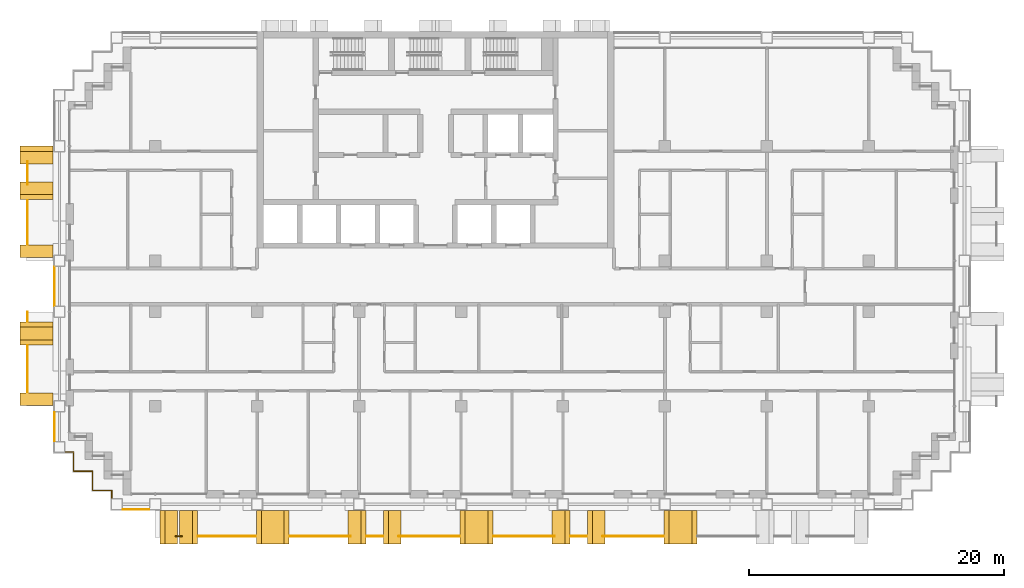
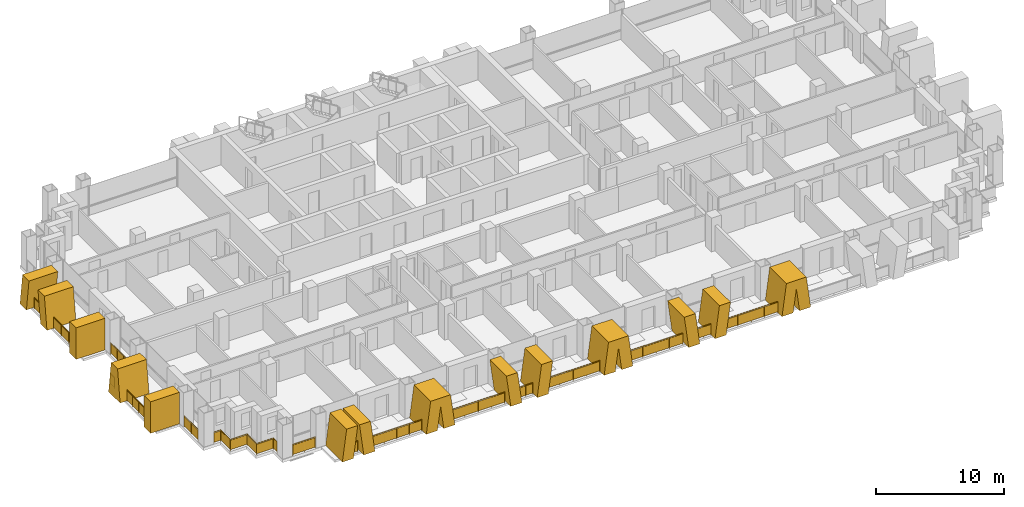
# One storey, part 15 of 18: 16 railings, 14 shading devices.
"""IFC4 building model written with IfcOpenShell, lengths in metres."""

from ifc_helpers import new_model, si_unit, direction, frame, origin, origin_2d, place, context, subcontext, project, spatial, polyline, rectangle, circle, outline, extrude, material, layer, layer_set, type_object, element, save


model = new_model("IFC4")

# Units and contexts
model_context = context("Model", 3, precision=1e-05, world=origin(), true_north=direction((0.0, 1.0)))
body_context = subcontext(model_context, "Body", "Model", "MODEL_VIEW")
ifc_project = project(units=[si_unit("LENGTHUNIT", "METRE"), si_unit("AREAUNIT", "SQUARE_METRE"), si_unit("VOLUMEUNIT", "CUBIC_METRE"), si_unit("PLANEANGLEUNIT", "RADIAN"), si_unit("MASSUNIT", "GRAM", prefix="KILO")], contexts=[model_context])

# Site, building, storey
site_placement = place(None, origin())
site = spatial("IfcSite", under=ifc_project, at=site_placement, CompositionType="ELEMENT")
building_placement = place(site_placement, origin())
building = spatial("IfcBuilding", under=site, at=building_placement, Name="Vidyagriha Tower", CompositionType="ELEMENT")
storey_placement = place(building_placement, frame((0.0, 0.0, 103.10009765625)))
storey = spatial("IfcBuildingStorey", under=building, at=storey_placement, Name="L27", CompositionType="ELEMENT", Elevation=103.10009765625)

# Railings
ifc_material_1 = material(Name="Steel ASTM A500 Grade C black painted", Category="steel")
railing_type_1 = type_object("IfcRailingType", Name="Balcony guard 1100", PredefinedType="BALUSTRADE", material=ifc_material_1)
railing_1_placement = place(storey_placement, frame((-32.0, 9.796630859375, 0.0)))
element("IfcRailing", 1, at=railing_1_placement, inside=storey, type_object=railing_type_1, Name="Balcony guard L27 R16.1-1", PredefinedType="BALUSTRADE", context=body_context, shape_type="SweptSolid", body=[
    extrude(circle(Radius=0.02490234375, at=origin_2d()), frame((0.0, 0.0, 1.0751953125), z_axis=(0.0, -1.0, 0.0), x_axis=(1.0, 0.0, 0.0)), (0.0, 0.0, 1.0), 1.793212890625),
    extrude(circle(Radius=0.02001953125, at=origin_2d()), origin(), (0.0, 0.0, 1.0), 1.050048828125),
    extrude(circle(Radius=0.02001953125, at=origin_2d()), frame((0.0, -0.896484375, 0.0)), (0.0, 0.0, 1.0), 1.050048828125),
    extrude(circle(Radius=0.02001953125, at=origin_2d()), frame((0.0, -1.793212890625, 0.0)), (0.0, 0.0, 1.0), 1.050048828125),
    extrude(rectangle(XDim=0.010009765625, YDim=0.900146484375, at=origin_2d()), frame((0.0, 0.0, 0.550048828125), z_axis=(0.0, -1.0, 0.0), x_axis=(1.0, 0.0, 0.0)), (0.0, 0.0, 1.0), 1.793212890625),
])
railing_2_placement = place(storey_placement, frame((-32.0, 6.75, 0.0)))
element("IfcRailing", 2, at=railing_2_placement, inside=storey, type_object=railing_type_1, Name="Balcony guard L27 R16.1-2", PredefinedType="BALUSTRADE", context=body_context, shape_type="SweptSolid", body=[
    extrude(circle(Radius=0.02490234375, at=origin_2d()), frame((0.0, 0.0, 1.0751953125), z_axis=(0.0, -1.0, 0.0), x_axis=(1.0, 0.0, 0.0)), (0.0, 0.0, 1.0), 3.449951171875),
    extrude(circle(Radius=0.02001953125, at=origin_2d()), origin(), (0.0, 0.0, 1.0), 1.050048828125),
    extrude(circle(Radius=0.02001953125, at=origin_2d()), frame((0.0, -1.14990234375, 0.0)), (0.0, 0.0, 1.0), 1.050048828125),
    extrude(circle(Radius=0.02001953125, at=origin_2d()), frame((0.0, -2.300048828125, 0.0)), (0.0, 0.0, 1.0), 1.050048828125),
    extrude(circle(Radius=0.02001953125, at=origin_2d()), frame((0.0, -3.449951171875, 0.0)), (0.0, 0.0, 1.0), 1.050048828125),
    extrude(rectangle(XDim=0.010009765625, YDim=0.900146484375, at=origin_2d()), frame((0.0, 0.0, 0.550048828125), z_axis=(0.0, -1.0, 0.0), x_axis=(1.0, 0.0, 0.0)), (0.0, 0.0, 1.0), 3.449951171875),
])
railing_3_placement = place(storey_placement, frame((-32.0, -2.0, 0.0)))
element("IfcRailing", 3, at=railing_3_placement, inside=storey, type_object=railing_type_1, Name="Balcony guard L27 R16.2-1", PredefinedType="BALUSTRADE", context=body_context, shape_type="SweptSolid", body=[
    extrude(circle(Radius=0.02490234375, at=origin_2d()), frame((0.0, 0.0, 1.0751953125), z_axis=(0.0, -1.0, 0.0), x_axis=(1.0, 0.0, 0.0)), (0.0, 0.0, 1.0), 0.75),
    extrude(circle(Radius=0.02001953125, at=origin_2d()), origin(), (0.0, 0.0, 1.0), 1.050048828125),
    extrude(circle(Radius=0.02001953125, at=origin_2d()), frame((0.0, -0.75, 0.0)), (0.0, 0.0, 1.0), 1.050048828125),
    extrude(rectangle(XDim=0.010009765625, YDim=0.900146484375, at=origin_2d()), frame((0.0, 0.0, 0.550048828125), z_axis=(0.0, -1.0, 0.0), x_axis=(1.0, 0.0, 0.0)), (0.0, 0.0, 1.0), 0.75),
])
railing_4_placement = place(storey_placement, frame((-32.0, -4.64990234375, 0.0)))
element("IfcRailing", 4, at=railing_4_placement, inside=storey, type_object=railing_type_1, Name="Balcony guard L27 R16.2-2", PredefinedType="BALUSTRADE", context=body_context, shape_type="SweptSolid", body=[
    extrude(circle(Radius=0.02490234375, at=origin_2d()), frame((0.0, 0.0, 1.0751953125), z_axis=(0.0, -1.0, 0.0), x_axis=(1.0, 0.0, 0.0)), (0.0, 0.0, 1.0), 3.650146484375),
    extrude(circle(Radius=0.02001953125, at=origin_2d()), origin(), (0.0, 0.0, 1.0), 1.050048828125),
    extrude(circle(Radius=0.02001953125, at=origin_2d()), frame((0.0, -0.91259765625, 0.0)), (0.0, 0.0, 1.0), 1.050048828125),
    extrude(circle(Radius=0.02001953125, at=origin_2d()), frame((0.0, -1.8251953125, 0.0)), (0.0, 0.0, 1.0), 1.050048828125),
    extrude(circle(Radius=0.02001953125, at=origin_2d()), frame((0.0, -2.737548828125, 0.0)), (0.0, 0.0, 1.0), 1.050048828125),
    extrude(circle(Radius=0.02001953125, at=origin_2d()), frame((0.0, -3.650146484375, 0.0)), (0.0, 0.0, 1.0), 1.050048828125),
    extrude(rectangle(XDim=0.010009765625, YDim=0.900146484375, at=origin_2d()), frame((0.0, 0.0, 0.550048828125), z_axis=(0.0, -1.0, 0.0), x_axis=(1.0, 0.0, 0.0)), (0.0, 0.0, 1.0), 3.650146484375),
])
railing_5_placement = place(storey_placement, frame((-20.41650390625, -19.60009765625, 0.0)))
element("IfcRailing", 5, at=railing_5_placement, inside=storey, type_object=railing_type_1, Name="Balcony guard L27 R23.1-1", PredefinedType="BALUSTRADE", context=body_context, shape_type="SweptSolid", body=[
    extrude(circle(Radius=0.02490234375, at=origin_2d()), frame((0.0, 0.0, 1.0751953125), z_axis=(1.0, 0.0, 0.0), x_axis=(0.0, 1.0, 0.0)), (0.0, 0.0, 1.0), 0.532958984375),
    extrude(circle(Radius=0.02001953125, at=origin_2d()), origin(), (0.0, 0.0, 1.0), 1.050048828125),
    extrude(circle(Radius=0.02001953125, at=origin_2d()), frame((0.532958984375, 0.0, 0.0)), (0.0, 0.0, 1.0), 1.050048828125),
    extrude(rectangle(XDim=0.010009765625, YDim=0.900146484375, at=origin_2d()), frame((0.0, 0.0, 0.550048828125), z_axis=(1.0, 0.0, 0.0), x_axis=(0.0, 1.0, 0.0)), (0.0, 0.0, 1.0), 0.532958984375),
])
railing_6_placement = place(storey_placement, frame((-18.6357421875, -19.60009765625, 0.0)))
element("IfcRailing", 6, at=railing_6_placement, inside=storey, type_object=railing_type_1, Name="Balcony guard L27 R23.1-2", PredefinedType="BALUSTRADE", context=body_context, shape_type="SweptSolid", body=[
    extrude(circle(Radius=0.02490234375, at=origin_2d()), frame((0.0, 0.0, 1.0751953125), z_axis=(1.0, 0.0, 0.0), x_axis=(0.0, 1.0, 0.0)), (0.0, 0.0, 1.0), 4.520751953125),
    extrude(circle(Radius=0.02001953125, at=origin_2d()), origin(), (0.0, 0.0, 1.0), 1.050048828125),
    extrude(circle(Radius=0.02001953125, at=origin_2d()), frame((1.130126953125, 0.0, 0.0)), (0.0, 0.0, 1.0), 1.050048828125),
    extrude(circle(Radius=0.02001953125, at=origin_2d()), frame((2.26025390625, 0.0, 0.0)), (0.0, 0.0, 1.0), 1.050048828125),
    extrude(circle(Radius=0.02001953125, at=origin_2d()), frame((3.390625, 0.0, 0.0)), (0.0, 0.0, 1.0), 1.050048828125),
    extrude(circle(Radius=0.02001953125, at=origin_2d()), frame((4.520751953125, 0.0, 0.0)), (0.0, 0.0, 1.0), 1.050048828125),
    extrude(rectangle(XDim=0.010009765625, YDim=0.900146484375, at=origin_2d()), frame((0.0, 0.0, 0.550048828125), z_axis=(1.0, 0.0, 0.0), x_axis=(0.0, 1.0, 0.0)), (0.0, 0.0, 1.0), 4.520751953125),
])
railing_7_placement = place(storey_placement, frame((-11.43505859375, -19.60009765625, 0.0)))
element("IfcRailing", 7, at=railing_7_placement, inside=storey, type_object=railing_type_1, Name="Balcony guard L27 R23.1-3", PredefinedType="BALUSTRADE", context=body_context, shape_type="SweptSolid", body=[
    extrude(circle(Radius=0.02490234375, at=origin_2d()), frame((0.0, 0.0, 1.0751953125), z_axis=(1.0, 0.0, 0.0), x_axis=(0.0, 1.0, 0.0)), (0.0, 0.0, 1.0), 4.773681640625),
    extrude(circle(Radius=0.02001953125, at=origin_2d()), origin(), (0.0, 0.0, 1.0), 1.050048828125),
    extrude(circle(Radius=0.02001953125, at=origin_2d()), frame((1.193359375, 0.0, 0.0)), (0.0, 0.0, 1.0), 1.050048828125),
    extrude(circle(Radius=0.02001953125, at=origin_2d()), frame((2.38671875, 0.0, 0.0)), (0.0, 0.0, 1.0), 1.050048828125),
    extrude(circle(Radius=0.02001953125, at=origin_2d()), frame((3.580322265625, 0.0, 0.0)), (0.0, 0.0, 1.0), 1.050048828125),
    extrude(circle(Radius=0.02001953125, at=origin_2d()), frame((4.773681640625, 0.0, 0.0)), (0.0, 0.0, 1.0), 1.050048828125),
    extrude(rectangle(XDim=0.010009765625, YDim=0.900146484375, at=origin_2d()), frame((0.0, 0.0, 0.550048828125), z_axis=(1.0, 0.0, 0.0), x_axis=(0.0, 1.0, 0.0)), (0.0, 0.0, 1.0), 4.773681640625),
])
railing_8_placement = place(storey_placement, frame((-5.409912109375, -19.60009765625, 0.0)))
element("IfcRailing", 8, at=railing_8_placement, inside=storey, type_object=railing_type_1, Name="Balcony guard L27 R23.1-4", PredefinedType="BALUSTRADE", context=body_context, shape_type="SweptSolid", body=[
    extrude(circle(Radius=0.02490234375, at=origin_2d()), frame((0.0, 0.0, 1.0751953125), z_axis=(1.0, 0.0, 0.0), x_axis=(0.0, 1.0, 0.0)), (0.0, 0.0, 1.0), 1.27001953125),
    extrude(circle(Radius=0.02001953125, at=origin_2d()), origin(), (0.0, 0.0, 1.0), 1.050048828125),
    extrude(circle(Radius=0.02001953125, at=origin_2d()), frame((0.635009765625, 0.0, 0.0)), (0.0, 0.0, 1.0), 1.050048828125),
    extrude(circle(Radius=0.02001953125, at=origin_2d()), frame((1.27001953125, 0.0, 0.0)), (0.0, 0.0, 1.0), 1.050048828125),
    extrude(rectangle(XDim=0.010009765625, YDim=0.900146484375, at=origin_2d()), frame((0.0, 0.0, 0.550048828125), z_axis=(1.0, 0.0, 0.0), x_axis=(0.0, 1.0, 0.0)), (0.0, 0.0, 1.0), 1.27001953125),
])
for number, where, name in (
    (9, (-2.888671875, -19.60009765625, 0.0), "Balcony guard L27 R23.1-5"),
    (10, (4.56494140625, -19.60009765625, 0.0), "Balcony guard L27 R23.1-6"),
):
    element("IfcRailing", number, at=place(storey_placement, frame(where)), inside=storey, type_object=railing_type_1, Name=name, PredefinedType="BALUSTRADE", context=body_context, shape_type="SweptSolid", body=[
        extrude(circle(Radius=0.02490234375, at=origin_2d()), frame((0.0, 0.0, 1.0751953125), z_axis=(1.0, 0.0, 0.0), x_axis=(0.0, 1.0, 0.0)), (0.0, 0.0, 1.0), 4.773681640625),
        extrude(circle(Radius=0.02001953125, at=origin_2d()), origin(), (0.0, 0.0, 1.0), 1.050048828125),
        extrude(circle(Radius=0.02001953125, at=origin_2d()), frame((1.193359375, 0.0, 0.0)), (0.0, 0.0, 1.0), 1.050048828125),
        extrude(circle(Radius=0.02001953125, at=origin_2d()), frame((2.38671875, 0.0, 0.0)), (0.0, 0.0, 1.0), 1.050048828125),
        extrude(circle(Radius=0.02001953125, at=origin_2d()), frame((3.580322265625, 0.0, 0.0)), (0.0, 0.0, 1.0), 1.050048828125),
        extrude(circle(Radius=0.02001953125, at=origin_2d()), frame((4.773681640625, 0.0, 0.0)), (0.0, 0.0, 1.0), 1.050048828125),
        extrude(rectangle(XDim=0.010009765625, YDim=0.900146484375, at=origin_2d()), frame((0.0, 0.0, 0.550048828125), z_axis=(1.0, 0.0, 0.0), x_axis=(0.0, 1.0, 0.0)), (0.0, 0.0, 1.0), 4.773681640625),
    ])
railing_9_placement = place(storey_placement, frame((10.590087890625, -19.60009765625, 0.0)))
element("IfcRailing", 11, at=railing_9_placement, inside=storey, type_object=railing_type_1, Name="Balcony guard L27 R23.1-7", PredefinedType="BALUSTRADE", context=body_context, shape_type="SweptSolid", body=[
    extrude(circle(Radius=0.02490234375, at=origin_2d()), frame((0.0, 0.0, 1.0751953125), z_axis=(1.0, 0.0, 0.0), x_axis=(0.0, 1.0, 0.0)), (0.0, 0.0, 1.0), 1.27001953125),
    extrude(circle(Radius=0.02001953125, at=origin_2d()), origin(), (0.0, 0.0, 1.0), 1.050048828125),
    extrude(circle(Radius=0.02001953125, at=origin_2d()), frame((0.635009765625, 0.0, 0.0)), (0.0, 0.0, 1.0), 1.050048828125),
    extrude(circle(Radius=0.02001953125, at=origin_2d()), frame((1.27001953125, 0.0, 0.0)), (0.0, 0.0, 1.0), 1.050048828125),
    extrude(rectangle(XDim=0.010009765625, YDim=0.900146484375, at=origin_2d()), frame((0.0, 0.0, 0.550048828125), z_axis=(1.0, 0.0, 0.0), x_axis=(0.0, 1.0, 0.0)), (0.0, 0.0, 1.0), 1.27001953125),
])
railing_10_placement = place(storey_placement, frame((13.111328125, -19.60009765625, 0.0)))
element("IfcRailing", 12, at=railing_10_placement, inside=storey, type_object=railing_type_1, Name="Balcony guard L27 R23.1-8", PredefinedType="BALUSTRADE", context=body_context, shape_type="SweptSolid", body=[
    extrude(circle(Radius=0.02490234375, at=origin_2d()), frame((0.0, 0.0, 1.0751953125), z_axis=(1.0, 0.0, 0.0), x_axis=(0.0, 1.0, 0.0)), (0.0, 0.0, 1.0), 4.773681640625),
    extrude(circle(Radius=0.02001953125, at=origin_2d()), origin(), (0.0, 0.0, 1.0), 1.050048828125),
    extrude(circle(Radius=0.02001953125, at=origin_2d()), frame((1.193359375, 0.0, 0.0)), (0.0, 0.0, 1.0), 1.050048828125),
    extrude(circle(Radius=0.02001953125, at=origin_2d()), frame((2.38671875, 0.0, 0.0)), (0.0, 0.0, 1.0), 1.050048828125),
    extrude(circle(Radius=0.02001953125, at=origin_2d()), frame((3.580322265625, 0.0, 0.0)), (0.0, 0.0, 1.0), 1.050048828125),
    extrude(circle(Radius=0.02001953125, at=origin_2d()), frame((4.773681640625, 0.0, 0.0)), (0.0, 0.0, 1.0), 1.050048828125),
    extrude(rectangle(XDim=0.010009765625, YDim=0.900146484375, at=origin_2d()), frame((0.0, 0.0, 0.550048828125), z_axis=(1.0, 0.0, 0.0), x_axis=(0.0, 1.0, 0.0)), (0.0, 0.0, 1.0), 4.773681640625),
])

# Shading devices
ifc_material_2 = material(Name="Precast concrete C40/50 with buff brick facing", Category="concrete")
ifc_layer_1 = layer(ifc_material_2, 1.0)
ifc_layer_set_1 = layer_set([ifc_layer_1], Name="Precast concrete C40/50 with buff brick facing")
shading_device_type_1 = type_object("IfcShadingDeviceType", Name="Brick-faced blade fin arm leaning 8 degrees", PredefinedType="USERDEFINED", material=ifc_layer_set_1)
shading_device_1_placement = place(storey_placement, frame((-31.300048828125, 8.199951171875, 0.0), z_axis=(0.0, 0.0, 1.0), x_axis=(0.0, -1.0, 0.0)))
element("IfcShadingDevice", 13, at=shading_device_1_placement, inside=storey, type_object=shading_device_type_1, Name="Leaning blade fin L27 R16.290a", ObjectType="BLADE FIN", PredefinedType="USERDEFINED", context=body_context, shape_type="SweptSolid", body=[
    extrude(outline(polyline([(0.39990234375, 0.0), (1.39990234375, 0.0), (1.0, 3.0), (0.0, 3.0), (0.39990234375, 0.0)])), frame((0.0, 1.300048828125, 0.0), z_axis=(0.0, -1.0, 0.0), x_axis=(1.0, 0.0, 0.0)), (0.0, 0.0, 1.0), 2.60009765625),
])
shading_device_2_placement = place(storey_placement, frame((-31.300048828125, 11.0, 0.0), z_axis=(0.0, 0.0, 1.0), x_axis=(0.0, -1.0, 0.0)))
element("IfcShadingDevice", 14, at=shading_device_2_placement, inside=storey, type_object=shading_device_type_1, Name="Leaning blade fin L27 R16.290b", ObjectType="BLADE FIN", PredefinedType="USERDEFINED", context=body_context, shape_type="SweptSolid", body=[
    extrude(outline(polyline([(0.0, 0.0), (1.0, 0.0), (1.39990234375, 3.0), (0.39990234375, 3.0), (0.0, 0.0)])), frame((0.0, 1.300048828125, 0.0), z_axis=(0.0, -1.0, 0.0), x_axis=(1.0, 0.0, 0.0)), (0.0, 0.0, 1.0), 2.60009765625),
])
shading_device_3_placement = place(storey_placement, frame((-20.0712890625, -18.89990234375, 0.0)))
element("IfcShadingDevice", 15, at=shading_device_3_placement, inside=storey, type_object=shading_device_type_1, Name="Leaning blade fin L27 R23.190a", ObjectType="BLADE FIN", PredefinedType="USERDEFINED", context=body_context, shape_type="SweptSolid", body=[
    extrude(outline(polyline([(0.3857421875, 0.0), (1.3857421875, 0.0), (1.0, 3.0), (0.0, 3.0), (0.3857421875, 0.0)])), frame((0.0, 1.300048828125, 0.0), z_axis=(0.0, -1.0, 0.0), x_axis=(1.0, 0.0, 0.0)), (0.0, 0.0, 1.0), 2.60009765625),
])
shading_device_4_placement = place(storey_placement, frame((-21.6142578125, -18.89990234375, 0.0)))
element("IfcShadingDevice", 16, at=shading_device_4_placement, inside=storey, type_object=shading_device_type_1, Name="Leaning blade fin L27 R23.190b", ObjectType="BLADE FIN", PredefinedType="USERDEFINED", context=body_context, shape_type="SweptSolid", body=[
    extrude(outline(polyline([(0.0, 0.0), (1.0, 0.0), (1.3857421875, 3.0), (0.3857421875, 3.0), (0.0, 0.0)])), frame((0.0, 1.300048828125, 0.0), z_axis=(0.0, -1.0, 0.0), x_axis=(1.0, 0.0, 0.0)), (0.0, 0.0, 1.0), 2.60009765625),
])
shading_device_5_placement = place(storey_placement, frame((-4.090087890625, -18.89990234375, 0.0)))
element("IfcShadingDevice", 17, at=shading_device_5_placement, inside=storey, type_object=shading_device_type_1, Name="Leaning blade fin L27 R23.1790a", ObjectType="BLADE FIN", PredefinedType="USERDEFINED", context=body_context, shape_type="SweptSolid", body=[
    extrude(outline(polyline([(0.0, 0.0), (1.0, 0.0), (1.39501953125, 3.0), (0.39501953125, 3.0), (0.0, 0.0)])), frame((0.0, 1.300048828125, 0.0), z_axis=(0.0, -1.0, 0.0), x_axis=(1.0, 0.0, 0.0)), (0.0, 0.0, 1.0), 2.60009765625),
])
shading_device_6_placement = place(storey_placement, frame((-6.85498046875, -18.89990234375, 0.0)))
element("IfcShadingDevice", 18, at=shading_device_6_placement, inside=storey, type_object=shading_device_type_1, Name="Leaning blade fin L27 R23.1790b", ObjectType="BLADE FIN", PredefinedType="USERDEFINED", context=body_context, shape_type="SweptSolid", body=[
    extrude(outline(polyline([(0.39501953125, 0.0), (1.39501953125, 0.0), (1.0, 3.0), (0.0, 3.0), (0.39501953125, 0.0)])), frame((0.0, 1.300048828125, 0.0), z_axis=(0.0, -1.0, 0.0), x_axis=(1.0, 0.0, 0.0)), (0.0, 0.0, 1.0), 2.60009765625),
])
shading_device_7_placement = place(storey_placement, frame((11.909912109375, -18.89990234375, 0.0)))
element("IfcShadingDevice", 19, at=shading_device_7_placement, inside=storey, type_object=shading_device_type_1, Name="Leaning blade fin L27 R23.3390a", ObjectType="BLADE FIN", PredefinedType="USERDEFINED", context=body_context, shape_type="SweptSolid", body=[
    extrude(outline(polyline([(0.0, 0.0), (1.0, 0.0), (1.39501953125, 3.0), (0.39501953125, 3.0), (0.0, 0.0)])), frame((0.0, 1.300048828125, 0.0), z_axis=(0.0, -1.0, 0.0), x_axis=(1.0, 0.0, 0.0)), (0.0, 0.0, 1.0), 2.60009765625),
])
shading_device_8_placement = place(storey_placement, frame((9.14501953125, -18.89990234375, 0.0)))
element("IfcShadingDevice", 20, at=shading_device_8_placement, inside=storey, type_object=shading_device_type_1, Name="Leaning blade fin L27 R23.3390b", ObjectType="BLADE FIN", PredefinedType="USERDEFINED", context=body_context, shape_type="SweptSolid", body=[
    extrude(outline(polyline([(0.39501953125, 0.0), (1.39501953125, 0.0), (1.0, 3.0), (0.0, 3.0), (0.39501953125, 0.0)])), frame((0.0, 1.300048828125, 0.0), z_axis=(0.0, -1.0, 0.0), x_axis=(1.0, 0.0, 0.0)), (0.0, 0.0, 1.0), 2.60009765625),
])
ifc_material_3 = material(Name="Precast concrete C40/50 with buff brick facing", Category="concrete")
ifc_layer_2 = layer(ifc_material_3, 1.0)
ifc_layer_set_2 = layer_set([ifc_layer_2], Name="Precast concrete C40/50 with buff brick facing")
shading_device_type_2 = type_object("IfcShadingDeviceType", Name="Brick-faced blade fin forking 8 degrees", PredefinedType="USERDEFINED", material=ifc_layer_set_2)
shading_device_9_placement = place(storey_placement, frame((-31.300048828125, -2.800048828125, 0.0), z_axis=(0.0, 0.0, 1.0), x_axis=(0.0, -1.0, 0.0)))
element("IfcShadingDevice", 21, at=shading_device_9_placement, inside=storey, type_object=shading_device_type_2, Name="Forked blade fin L27 R16.1590a", ObjectType="BLADE FIN", PredefinedType="USERDEFINED", context=body_context, shape_type="SweptSolid", body=[
    extrude(outline(polyline([(0.0, 0.0), (1.800048828125, 0.0), (1.39990234375, 3.0), (0.39990234375, 3.0), (0.0, 0.0)])), frame((0.0, 1.300048828125, 0.0), z_axis=(0.0, -1.0, 0.0), x_axis=(1.0, 0.0, 0.0)), (0.0, 0.0, 1.0), 2.60009765625),
])
for number, where, name in (
    (22, (-14.06494140625, -18.89990234375, 0.0), "Forked blade fin L27 R23.990a"),
    (23, (1.93505859375, -18.89990234375, 0.0), "Forked blade fin L27 R23.2590a"),
    (24, (17.93505859375, -18.89990234375, 0.0), "Forked blade fin L27 R23.4190a"),
):
    element("IfcShadingDevice", number, at=place(storey_placement, frame(where)), inside=storey, type_object=shading_device_type_2, Name=name, ObjectType="BLADE FIN", PredefinedType="USERDEFINED", context=body_context, shape_type="SweptSolid", body=[
        extrude(outline(polyline([(1.0, 0.0), (1.2900390625, 2.202392578125), (1.580078125, 0.0), (2.580078125, 0.0), (2.18505859375, 3.0), (0.39501953125, 3.0), (0.0, 0.0), (1.0, 0.0)])), frame((0.0, 1.300048828125, 0.0), z_axis=(0.0, -1.0, 0.0), x_axis=(1.0, 0.0, 0.0)), (0.0, 0.0, 1.0), 2.60009765625),
    ])
ifc_material_4 = material(Name="Precast concrete C40/50 with buff brick facing", Category="concrete")
ifc_layer_3 = layer(ifc_material_4, 1.0)
ifc_layer_set_3 = layer_set([ifc_layer_3], Name="Precast concrete C40/50 with buff brick facing")
shading_device_type_3 = type_object("IfcShadingDeviceType", Name="Brick-faced blade fin stem 1000", PredefinedType="USERDEFINED", material=ifc_layer_set_3)
for number, where, z_axis, x_axis, name in (
    (25, (-31.300048828125, 3.25, 0.0), (0.0, 0.0, 1.0), (0.0, -1.0, 0.0), "Stem blade fin L27 R16.1190a"),
    (26, (-31.300048828125, -8.35009765625, 0.0), (0.0, 0.0, 1.0), (0.0, -1.0, 0.0), "Stem blade fin L27 R16.2330a"),
):
    element("IfcShadingDevice", number, at=place(storey_placement, frame(where, z_axis=z_axis, x_axis=x_axis)), inside=storey, type_object=shading_device_type_3, Name=name, ObjectType="BLADE FIN", PredefinedType="USERDEFINED", context=body_context, shape_type="SweptSolid", body=[
        extrude(outline(polyline([(0.0, 0.0), (1.0, 0.0), (1.0, 3.0), (0.0, 3.0), (0.0, 0.0)])), frame((0.0, 1.300048828125, 0.0), z_axis=(0.0, -1.0, 0.0), x_axis=(1.0, 0.0, 0.0)), (0.0, 0.0, 1.0), 2.60009765625),
    ])

# Railings
ifc_material_5 = material(Name="Steel ASTM A500 Grade C black painted", Category="steel")
railing_type_2 = type_object("IfcRailingType", Name="Gallery guard 1100", PredefinedType="GUARDRAIL", material=ifc_material_5)
railing_11_placement = place(storey_placement, frame((-29.89990234375, -12.1201171875, 0.0)))
element("IfcRailing", 27, at=railing_11_placement, inside=storey, type_object=railing_type_2, Name="Gallery guard L27 1", PredefinedType="GUARDRAIL", context=body_context, shape_type="SweptSolid", body=[
    extrude(circle(Radius=0.02490234375, at=origin_2d()), frame((0.0, 0.0, 1.0751953125), z_axis=(0.0, 1.0, 0.0), x_axis=(-1.0, 0.0, 0.0)), (0.0, 0.0, 1.0), 2.240234375),
    extrude(circle(Radius=0.02001953125, at=origin_2d()), origin(), (0.0, 0.0, 1.0), 1.050048828125),
    extrude(circle(Radius=0.02001953125, at=origin_2d()), frame((0.0, 1.1201171875, 0.0)), (0.0, 0.0, 1.0), 1.050048828125),
    extrude(circle(Radius=0.02001953125, at=origin_2d()), frame((0.0, 2.240234375, 0.0)), (0.0, 0.0, 1.0), 1.050048828125),
    extrude(rectangle(XDim=0.010009765625, YDim=0.900146484375, at=origin_2d()), frame((0.0, 0.0, 0.550048828125), z_axis=(0.0, 1.0, 0.0), x_axis=(-1.0, 0.0, 0.0)), (0.0, 0.0, 1.0), 2.240234375),
])
railing_12_placement = place(storey_placement, frame((-29.89990234375, -1.52001953125, 0.0)))
element("IfcRailing", 28, at=railing_12_placement, inside=storey, type_object=railing_type_2, Name="Gallery guard L27 2", PredefinedType="GUARDRAIL", context=body_context, shape_type="SweptSolid", body=[
    extrude(circle(Radius=0.02490234375, at=origin_2d()), frame((0.0, 0.0, 1.0751953125), z_axis=(0.0, 1.0, 0.0), x_axis=(-1.0, 0.0, 0.0)), (0.0, 0.0, 1.0), 3.0400390625),
    extrude(circle(Radius=0.02001953125, at=origin_2d()), origin(), (0.0, 0.0, 1.0), 1.050048828125),
    extrude(circle(Radius=0.02001953125, at=origin_2d()), frame((0.0, 1.013427734375, 0.0)), (0.0, 0.0, 1.0), 1.050048828125),
    extrude(circle(Radius=0.02001953125, at=origin_2d()), frame((0.0, 2.026611328125, 0.0)), (0.0, 0.0, 1.0), 1.050048828125),
    extrude(circle(Radius=0.02001953125, at=origin_2d()), frame((0.0, 3.0400390625, 0.0)), (0.0, 0.0, 1.0), 1.050048828125),
    extrude(rectangle(XDim=0.010009765625, YDim=0.900146484375, at=origin_2d()), frame((0.0, 0.0, 0.550048828125), z_axis=(0.0, 1.0, 0.0), x_axis=(-1.0, 0.0, 0.0)), (0.0, 0.0, 1.0), 3.0400390625),
])
railing_13_placement = place(storey_placement, frame((-25.39990234375, -16.6201171875, 0.0)))
element("IfcRailing", 29, at=railing_13_placement, inside=storey, type_object=railing_type_2, Name="Gallery guard L27 4", PredefinedType="GUARDRAIL", context=body_context, shape_type="SweptSolid", body=[
    extrude(circle(Radius=0.02490234375, at=origin_2d()), frame((0.0, 0.0, 1.0751953125), z_axis=(0.0, 1.0, 0.0), x_axis=(-1.0, 0.0, 0.0)), (0.0, 0.0, 1.0), 0.6201171875),
    extrude(circle(Radius=0.02490234375, at=origin_2d()), frame((0.0, 0.6201171875, 1.0751953125), z_axis=(-1.0, 0.0, 0.0), x_axis=(0.0, -1.0, 0.0)), (0.0, 0.0, 1.0), 1.5),
    extrude(circle(Radius=0.02490234375, at=origin_2d()), frame((-1.5, 0.6201171875, 1.0751953125), z_axis=(0.0, 1.0, 0.0), x_axis=(-1.0, 0.0, 0.0)), (0.0, 0.0, 1.0), 1.5),
    extrude(circle(Radius=0.02490234375, at=origin_2d()), frame((-1.5, 2.1201171875, 1.0751953125), z_axis=(-1.0, 0.0, 0.0), x_axis=(0.0, -1.0, 0.0)), (0.0, 0.0, 1.0), 1.5),
    extrude(circle(Radius=0.02490234375, at=origin_2d()), frame((-3.0, 2.1201171875, 1.0751953125), z_axis=(0.0, 1.0, 0.0), x_axis=(-1.0, 0.0, 0.0)), (0.0, 0.0, 1.0), 1.5),
    extrude(circle(Radius=0.02490234375, at=origin_2d()), frame((-3.0, 3.6201171875, 1.0751953125), z_axis=(-1.0, 0.0, 0.0), x_axis=(0.0, -1.0, 0.0)), (0.0, 0.0, 1.0), 0.6201171875),
    extrude(circle(Radius=0.02001953125, at=origin_2d()), origin(), (0.0, 0.0, 1.0), 1.050048828125),
    extrude(circle(Radius=0.02001953125, at=origin_2d()), frame((0.0, 0.6201171875, 0.0)), (0.0, 0.0, 1.0), 1.050048828125),
    extrude(circle(Radius=0.02001953125, at=origin_2d()), frame((-1.5, 0.6201171875, 0.0)), (0.0, 0.0, 1.0), 1.050048828125),
    extrude(circle(Radius=0.02001953125, at=origin_2d()), frame((-1.5, 2.1201171875, 0.0)), (0.0, 0.0, 1.0), 1.050048828125),
    extrude(circle(Radius=0.02001953125, at=origin_2d()), frame((-3.0, 2.1201171875, 0.0)), (0.0, 0.0, 1.0), 1.050048828125),
    extrude(circle(Radius=0.02001953125, at=origin_2d()), frame((-3.0, 3.6201171875, 0.0)), (0.0, 0.0, 1.0), 1.050048828125),
    extrude(circle(Radius=0.02001953125, at=origin_2d()), frame((-3.6201171875, 3.6201171875, 0.0)), (0.0, 0.0, 1.0), 1.050048828125),
    extrude(rectangle(XDim=0.010009765625, YDim=0.900146484375, at=origin_2d()), frame((0.0, 0.0, 0.550048828125), z_axis=(0.0, 1.0, 0.0), x_axis=(-1.0, 0.0, 0.0)), (0.0, 0.0, 1.0), 0.6201171875),
    extrude(rectangle(XDim=0.010009765625, YDim=0.900146484375, at=origin_2d()), frame((0.0, 0.6201171875, 0.550048828125), z_axis=(-1.0, 0.0, 0.0), x_axis=(0.0, -1.0, 0.0)), (0.0, 0.0, 1.0), 1.5),
    extrude(rectangle(XDim=0.010009765625, YDim=0.900146484375, at=origin_2d()), frame((-1.5, 0.6201171875, 0.550048828125), z_axis=(0.0, 1.0, 0.0), x_axis=(-1.0, 0.0, 0.0)), (0.0, 0.0, 1.0), 1.5),
    extrude(rectangle(XDim=0.010009765625, YDim=0.900146484375, at=origin_2d()), frame((-1.5, 2.1201171875, 0.550048828125), z_axis=(-1.0, 0.0, 0.0), x_axis=(0.0, -1.0, 0.0)), (0.0, 0.0, 1.0), 1.5),
    extrude(rectangle(XDim=0.010009765625, YDim=0.900146484375, at=origin_2d()), frame((-3.0, 2.1201171875, 0.550048828125), z_axis=(0.0, 1.0, 0.0), x_axis=(-1.0, 0.0, 0.0)), (0.0, 0.0, 1.0), 1.5),
    extrude(rectangle(XDim=0.010009765625, YDim=0.900146484375, at=origin_2d()), frame((-3.0, 3.6201171875, 0.550048828125), z_axis=(-1.0, 0.0, 0.0), x_axis=(0.0, -1.0, 0.0)), (0.0, 0.0, 1.0), 0.6201171875),
])
railing_14_placement = place(storey_placement, frame((-22.47998046875, -17.5, 0.0)))
element("IfcRailing", 30, at=railing_14_placement, inside=storey, type_object=railing_type_2, Name="Gallery guard L27 6", PredefinedType="GUARDRAIL", context=body_context, shape_type="SweptSolid", body=[
    extrude(circle(Radius=0.02490234375, at=origin_2d()), frame((0.0, 0.0, 1.0751953125), z_axis=(-1.0, 0.0, 0.0), x_axis=(0.0, -1.0, 0.0)), (0.0, 0.0, 1.0), 2.0400390625),
    extrude(circle(Radius=0.02001953125, at=origin_2d()), origin(), (0.0, 0.0, 1.0), 1.050048828125),
    extrude(circle(Radius=0.02001953125, at=origin_2d()), frame((-1.02001953125, 0.0, 0.0)), (0.0, 0.0, 1.0), 1.050048828125),
    extrude(circle(Radius=0.02001953125, at=origin_2d()), frame((-2.0400390625, 0.0, 0.0)), (0.0, 0.0, 1.0), 1.050048828125),
    extrude(rectangle(XDim=0.010009765625, YDim=0.900146484375, at=origin_2d()), frame((0.0, 0.0, 0.550048828125), z_axis=(-1.0, 0.0, 0.0), x_axis=(0.0, -1.0, 0.0)), (0.0, 0.0, 1.0), 2.0400390625),
])

save(model, "model.ifc")
